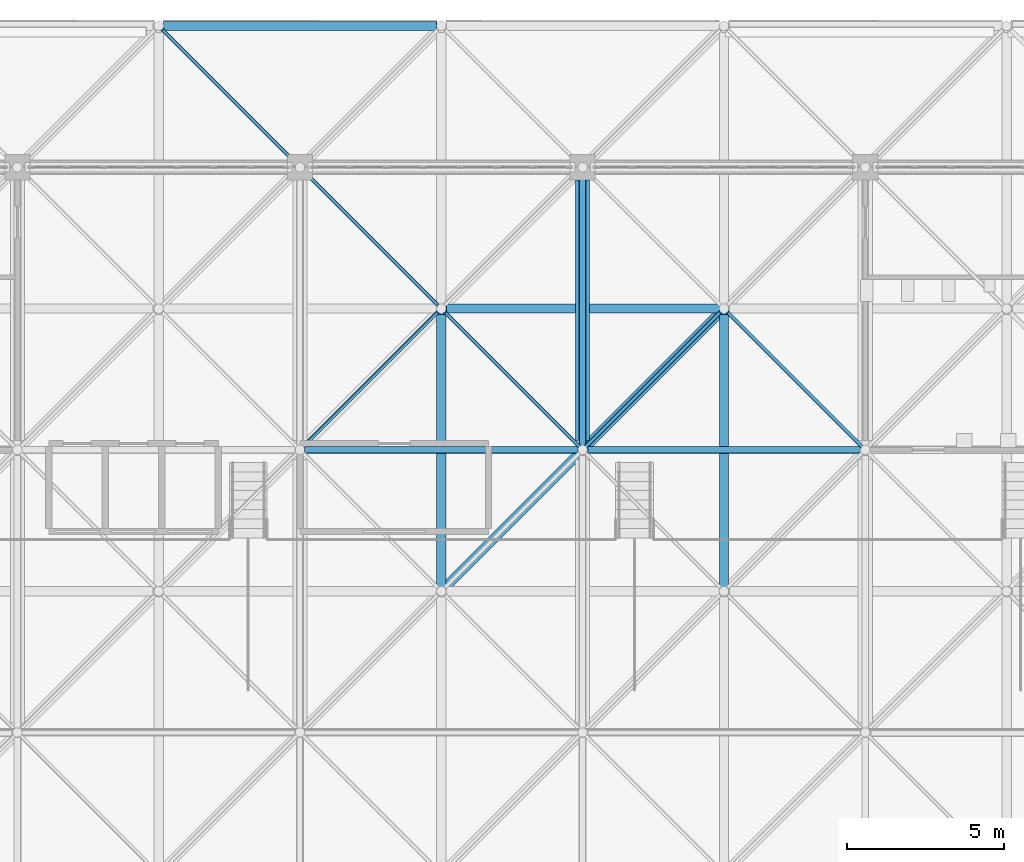
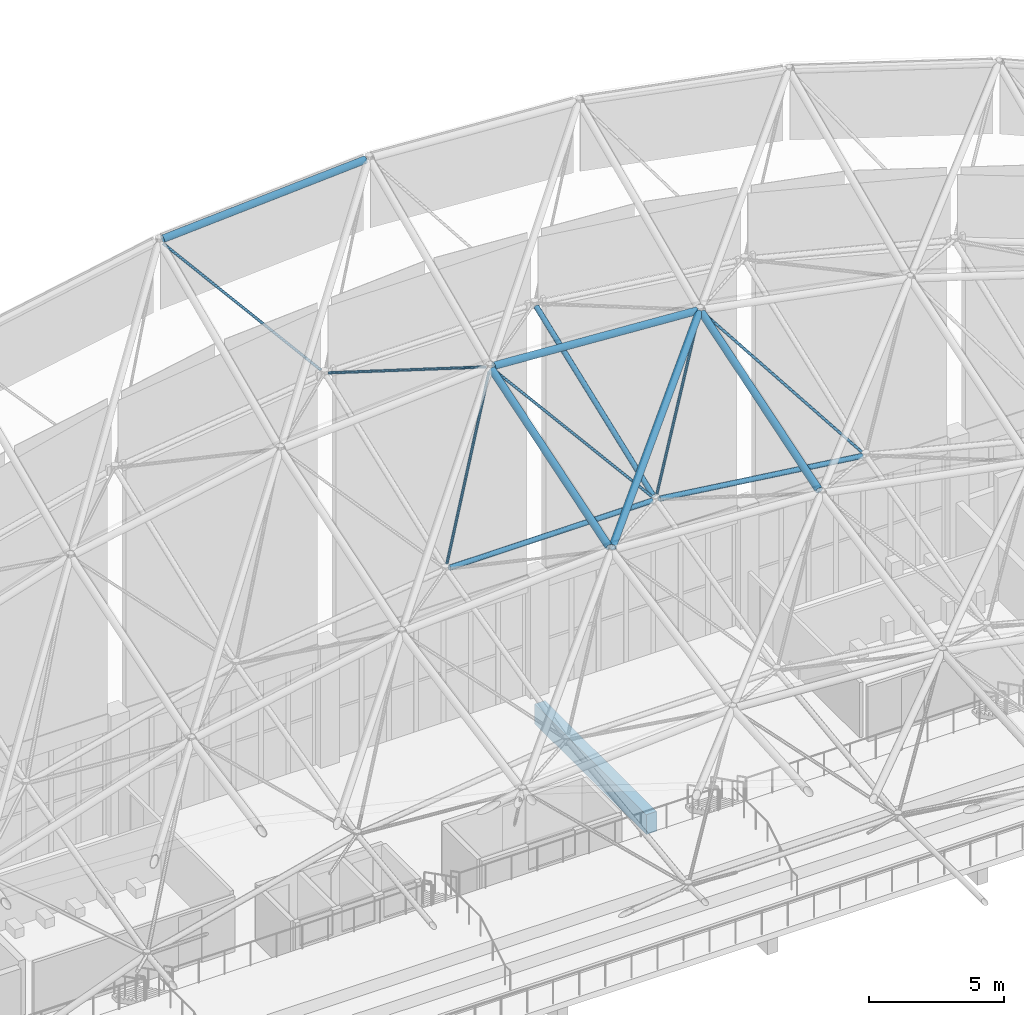
# One storey, part 120 of 437: 14 members, 1 beam.
"""IFC4 building model written with IfcOpenShell, lengths in metres."""

from ifc_helpers import new_model, si_unit, direction, frame, origin, origin_2d, place, context, subcontext, project, spatial, rectangle, hollow_circle, extrude, material, material_profile, profile_set, type_object, element, save


model = new_model("IFC4")

# Units and contexts
model_context = context("Model", 3, precision=1e-05, world=origin(), true_north=direction((0.0, 1.0)))
body_context = subcontext(model_context, "Body", "Model", "MODEL_VIEW")
ifc_project = project(units=[si_unit("LENGTHUNIT", "METRE"), si_unit("AREAUNIT", "SQUARE_METRE"), si_unit("VOLUMEUNIT", "CUBIC_METRE"), si_unit("PLANEANGLEUNIT", "RADIAN"), si_unit("MASSUNIT", "GRAM", prefix="KILO")], contexts=[model_context])

# Site, building, storey
site_placement = place(None, origin())
site = spatial("IfcSite", under=ifc_project, at=site_placement, CompositionType="ELEMENT")
building_placement = place(site_placement, origin())
building = spatial("IfcBuilding", under=site, at=building_placement, Name="Opaline Strait Convention Centre", CompositionType="ELEMENT")
storey_placement = place(building_placement, frame((0.0, 0.0, 11.5)))
storey = spatial("IfcBuildingStorey", under=building, at=storey_placement, Name="L02", CompositionType="ELEMENT", Elevation=11.5)

# Beam
ifc_material_1 = material(Name="Concrete C35", Category="concrete")
ifc_material_profile_1 = material_profile(ifc_material_1, rectangle(XDim=0.449951171875, YDim=0.89990234375, at=origin_2d()), Name="RC 450x900")
ifc_profile_set_1 = profile_set([ifc_material_profile_1], Name="Concrete C35")
beam_type = type_object("IfcBeamType", Name="RC floor beam 450x900 C35", PredefinedType="BEAM", material=ifc_profile_set_1)
beam_placement = place(storey_placement, frame((45.0, 171.300048828125, -0.72998046875), z_axis=(0.0, 1.0, 0.0), x_axis=(-1.0, 0.0, 0.0)))
element("IfcBeam", 1, at=beam_placement, inside=storey, type_object=beam_type, Name="PFB1 L02 beam 6/V-6/W", PredefinedType="BEAM", context=body_context, shape_type="SweptSolid", body=[
    extrude(rectangle(XDim=0.449951171875, YDim=0.89990234375, at=origin_2d()), origin(), (0.0, 0.0, 1.0), 8.300048828125),
])

# Members
ifc_material_2 = material(Name="Steel Q355B", Category="steel")
ifc_material_profile_2 = material_profile(ifc_material_2, hollow_circle(Radius=0.109619140625, WallThickness=0.008056640625, at=origin_2d()), Name="CHS 219x8")
ifc_profile_set_2 = profile_set([ifc_material_profile_2], Name="Steel Q355B")
member_type_1 = type_object("IfcMemberType", Name="Shell truss bottom chord CHS 219x8", PredefinedType="CHORD", material=ifc_profile_set_2)
member_1_placement = place(storey_placement, frame((36.14990234375, 171.0, 14.12353515625), z_axis=(1.0, 0.0, 0.0), x_axis=(0.0, 1.0, 0.0)))
element("IfcMember", 2, at=member_1_placement, inside=storey, type_object=member_type_1, Name="PBC3 bottom chord X4-7", PredefinedType="CHORD", context=body_context, shape_type="SweptSolid", body=[
    extrude(hollow_circle(Radius=0.109619140625, WallThickness=0.008056640625, at=origin_2d()), origin(), (0.0, 0.0, 1.0), 8.7001953125),
])
member_2_placement = place(storey_placement, frame((45.14990234375, 171.0, 14.1044921875), z_axis=(0.992034447069, 0.0, -0.125966883853), x_axis=(0.0, 1.0, 0.0)))
element("IfcMember", 3, at=member_2_placement, inside=storey, type_object=member_type_1, Name="PBC3 bottom chord X5-7", PredefinedType="CHORD", context=body_context, shape_type="SweptSolid", body=[
    extrude(hollow_circle(Radius=0.109619140625, WallThickness=0.008056640625, at=origin_2d()), origin(), (0.0, 0.0, 1.0), 8.77001953125),
])
member_3_placement = place(storey_placement, frame((45.0, 171.14990234375, 14.1806640625), z_axis=(0.0, 0.934484411572, 0.356004051282), x_axis=(-1.0, 0.0, 0.0)))
element("IfcMember", 4, at=member_3_placement, inside=storey, type_object=member_type_1, Name="PBC3 bottom chord Y5-7", PredefinedType="CHORD", context=body_context, shape_type="SweptSolid", body=[
    extrude(hollow_circle(Radius=0.109619140625, WallThickness=0.008056640625, at=origin_2d()), origin(), (0.0, 0.0, 1.0), 9.31005859375),
])
ifc_material_profile_3 = material_profile(ifc_material_2, hollow_circle(Radius=0.1494140625, WallThickness=0.010009765625, at=origin_2d()), Name="CHS 299x10")
ifc_profile_set_3 = profile_set([ifc_material_profile_3], Name="Steel Q355B")
member_type_2 = type_object("IfcMemberType", Name="Shell truss top chord CHS 299x10", PredefinedType="CHORD", material=ifc_profile_set_3)
for number, where, z_axis, x_axis, name in (
    (5, (40.64990234375, 175.5, 18.978271484375), (0.997991520688, 0.0, -0.063347649001), (0.0, 1.0, 0.0), "PTC2 top chord X5-8"),
    (6, (31.64990234375, 184.5, 22.426025390625), (0.997991520688, 0.0, 0.063347649001), (0.0, 1.0, 0.0), "PTC2 top chord X4-9"),
):
    element("IfcMember", number, at=place(storey_placement, frame(where, z_axis=z_axis, x_axis=x_axis)), inside=storey, type_object=member_type_2, Name=name, PredefinedType="CHORD", context=body_context, shape_type="SweptSolid", body=[
        extrude(hollow_circle(Radius=0.1494140625, WallThickness=0.010009765625, at=origin_2d()), origin(), (0.0, 0.0, 1.0), 8.7177734375),
    ])
for number, where, z_axis, x_axis, name in (
    (7, (40.5, 166.64990234375, 16.17822265625), (0.0, 0.95312438958, 0.302578746754), (-1.0, 0.0, 0.0), "PTC2 top chord Y5-7"),
    (8, (49.5, 166.64990234375, 15.60693359375), (0.0, 0.95312438958, 0.302578746754), (-1.0, 0.0, 0.0), "PTC2 top chord Y6-7"),
):
    element("IfcMember", number, at=place(storey_placement, frame(where, z_axis=z_axis, x_axis=x_axis)), inside=storey, type_object=member_type_2, Name=name, PredefinedType="CHORD", context=body_context, shape_type="SweptSolid", body=[
        extrude(hollow_circle(Radius=0.1494140625, WallThickness=0.010009765625, at=origin_2d()), origin(), (0.0, 0.0, 1.0), 9.128173828125),
    ])
member_4_placement = place(storey_placement, frame((40.606201171875, 166.606201171875, 16.15771484375), z_axis=(0.695974078103, 0.695974078103, 0.176748876144), x_axis=(-0.707106781187, 0.707106781187, 0.0)))
element("IfcMember", 9, at=member_4_placement, inside=storey, type_object=member_type_2, Name="PTC2 top chord D5-7", PredefinedType="CHORD", context=body_context, shape_type="SweptSolid", body=[
    extrude(hollow_circle(Radius=0.1494140625, WallThickness=0.010009765625, at=origin_2d()), origin(), (0.0, 0.0, 1.0), 12.626220703125),
])
ifc_material_profile_4 = material_profile(ifc_material_2, hollow_circle(Radius=0.056884765625, WallThickness=0.006103515625, at=origin_2d()), Name="CHS 114x6")
ifc_profile_set_4 = profile_set([ifc_material_profile_4], Name="Steel Q355B")
member_type_3 = type_object("IfcMemberType", Name="Shell truss web CHS 114x6", PredefinedType="BRACE", material=ifc_profile_set_4)
for number, where, z_axis, x_axis, name in (
    (10, (36.106201171875, 171.106201171875, 14.23828125), (0.561778263095, 0.561778263095, 0.607297592806), (-0.707106781187, 0.707106781187, 0.0), "PWB3 web 4-7bd"),
    (11, (35.893798828125, 180.106201171875, 17.666748046875), (-0.561778263095, 0.561778263095, 0.607297592806), (-0.707106781187, -0.707106781187, 0.0), "PWB3 web 4-8ad"),
):
    element("IfcMember", number, at=place(storey_placement, frame(where, z_axis=z_axis, x_axis=x_axis)), inside=storey, type_object=member_type_3, Name=name, PredefinedType="BRACE", context=body_context, shape_type="SweptSolid", body=[
        extrude(hollow_circle(Radius=0.056884765625, WallThickness=0.006103515625, at=origin_2d()), origin(), (0.0, 0.0, 1.0), 7.632080078125),
    ])
member_5_placement = place(storey_placement, frame((36.106201171875, 179.893798828125, 17.5859375), z_axis=(0.689766139831, -0.689766139831, 0.220103031979), x_axis=(0.707106781187, 0.707106781187, 0.0)))
element("IfcMember", 12, at=member_5_placement, inside=storey, type_object=member_type_3, Name="PWB3 web 4-8bc", PredefinedType="BRACE", context=body_context, shape_type="SweptSolid", body=[
    extrude(hollow_circle(Radius=0.056884765625, WallThickness=0.006103515625, at=origin_2d()), origin(), (0.0, 0.0, 1.0), 6.216064453125),
])
member_6_placement = place(storey_placement, frame((44.893798828125, 171.106201171875, 14.23828125), z_axis=(-0.561778263095, 0.561778263095, 0.607297592806), x_axis=(-0.707106781187, -0.707106781187, 0.0)))
element("IfcMember", 13, at=member_6_placement, inside=storey, type_object=member_type_3, Name="PWB3 web 5-7ad", PredefinedType="BRACE", context=body_context, shape_type="SweptSolid", body=[
    extrude(hollow_circle(Radius=0.056884765625, WallThickness=0.006103515625, at=origin_2d()), origin(), (0.0, 0.0, 1.0), 7.632080078125),
])
member_7_placement = place(storey_placement, frame((45.106201171875, 171.106201171875, 14.224853515625), z_axis=(0.586200317653, 0.586200317653, 0.559230162963), x_axis=(-0.707106781187, 0.707106781187, 0.0)))
element("IfcMember", 14, at=member_7_placement, inside=storey, type_object=member_type_3, Name="PWB3 web 5-7bd", PredefinedType="BRACE", context=body_context, shape_type="SweptSolid", body=[
    extrude(hollow_circle(Radius=0.056884765625, WallThickness=0.006103515625, at=origin_2d()), origin(), (0.0, 0.0, 1.0), 7.314208984375),
])
member_8_placement = place(storey_placement, frame((53.893798828125, 171.106201171875, 13.10888671875), z_axis=(-0.537659406453, 0.537659406453, 0.649495746949), x_axis=(-0.707106781187, -0.707106781187, 0.0)))
element("IfcMember", 15, at=member_8_placement, inside=storey, type_object=member_type_3, Name="PWB3 web 6-7ad", PredefinedType="BRACE", context=body_context, shape_type="SweptSolid", body=[
    extrude(hollow_circle(Radius=0.056884765625, WallThickness=0.006103515625, at=origin_2d()), origin(), (0.0, 0.0, 1.0), 7.974609375),
])

save(model, "model.ifc")
